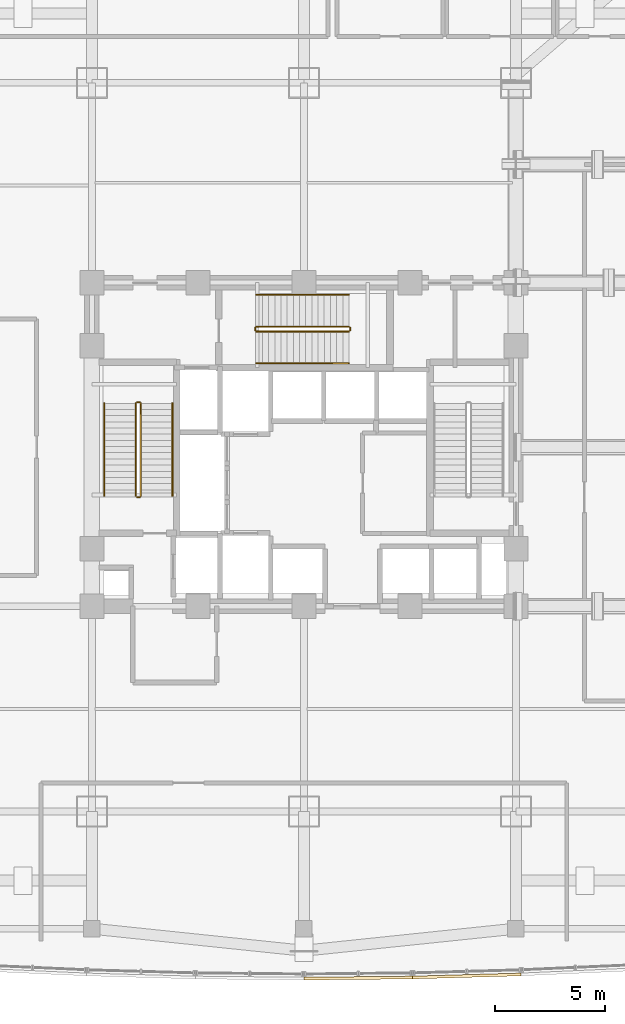
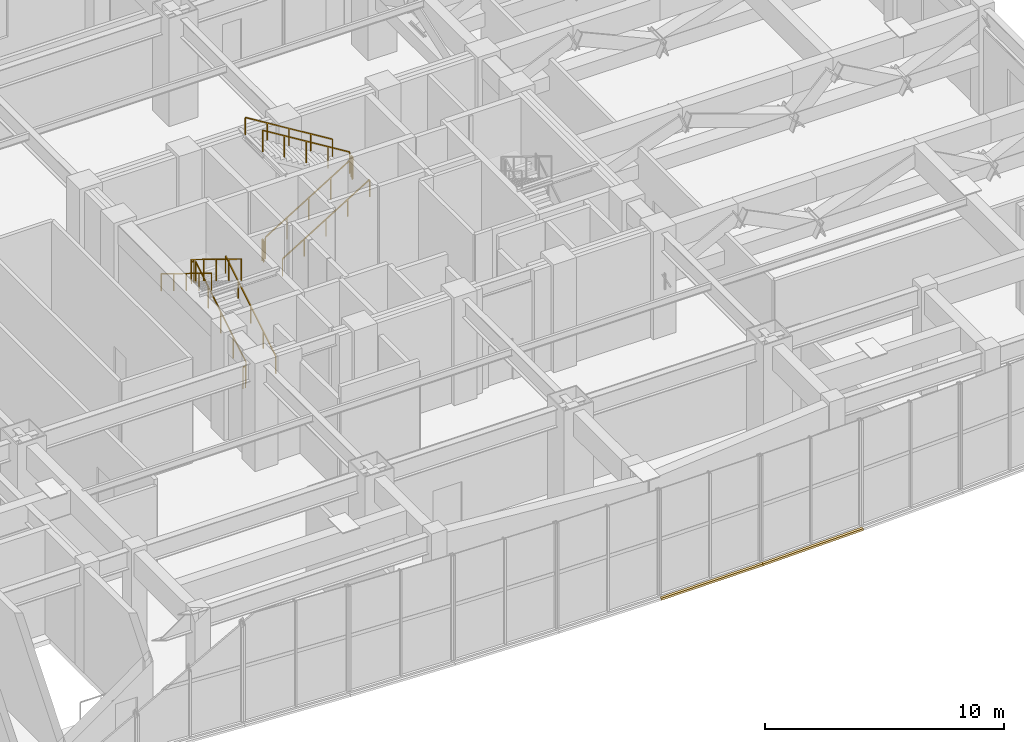
# One storey, part 17 of 19: 12 railings, 2 coverings.
"""IFC4 building model written with IfcOpenShell, lengths in metres."""

from ifc_helpers import new_model, si_unit, direction, frame, origin, origin_2d, place, context, subcontext, project, spatial, polyline, rectangle, outline, extrude, material, layer, layer_set, type_object, element, save


model = new_model("IFC4")

# Units and contexts
model_context = context("Model", 3, precision=1e-05, world=origin(), true_north=direction((0.0, 1.0)))
body_context = subcontext(model_context, "Body", "Model", "MODEL_VIEW")
ifc_project = project(units=[si_unit("LENGTHUNIT", "METRE"), si_unit("AREAUNIT", "SQUARE_METRE"), si_unit("VOLUMEUNIT", "CUBIC_METRE"), si_unit("PLANEANGLEUNIT", "RADIAN"), si_unit("MASSUNIT", "GRAM", prefix="KILO")], contexts=[model_context])

# Site, building, storey
site_placement = place(None, origin())
site = spatial("IfcSite", under=ifc_project, at=site_placement, CompositionType="ELEMENT")
building_placement = place(site_placement, origin())
building = spatial("IfcBuilding", under=site, at=building_placement, Name="Vantalir Tower", CompositionType="ELEMENT")
storey_placement = place(building_placement, frame((0.0, 0.0, 21.5)))
storey = spatial("IfcBuildingStorey", under=building, at=storey_placement, Name="L04", CompositionType="ELEMENT", Elevation=21.5)

# Coverings
ifc_material_1 = material(Name="Anodised champagne aluminium sill fascia", Category="aluminium")
ifc_layer = layer(ifc_material_1, 0.125)
ifc_layer_set = layer_set([ifc_layer], Name="Anodised champagne aluminium sill fascia")
covering_type = type_object("IfcCoveringType", Name="COV-SLAB-FASCIA-125", PredefinedType="CLADDING", material=ifc_layer_set)
covering_1_placement = place(storey_placement, frame((0.0, 0.0, -0.179931640625)))
element("IfcCovering", 1, at=covering_1_placement, inside=storey, type_object=covering_type, Name="L04 South Prow Slab-Edge Fascia 07", PredefinedType="CLADDING", context=body_context, shape_type="SweptSolid", body=[
    extrude(outline(polyline([(31.5, 1.0), (31.5009765625, 0.875), (36.41796875, 0.923095703125), (36.4169921875, 1.048095703125), (31.5, 1.0)])), origin(), (0.0, 0.0, 1.0), 0.10498046875),
])
covering_2_placement = place(storey_placement, frame((0.0, 0.0, -0.179931640625)))
element("IfcCovering", 2, at=covering_2_placement, inside=storey, type_object=covering_type, Name="L04 South Prow Slab-Edge Fascia 08", PredefinedType="CLADDING", context=body_context, shape_type="SweptSolid", body=[
    extrude(outline(polyline([(36.4169921875, 1.048095703125), (36.4208984375, 0.923095703125), (41.3369140625, 1.06298828125), (41.3330078125, 1.18798828125), (36.4169921875, 1.048095703125)])), origin(), (0.0, 0.0, 1.0), 0.10498046875),
])

# Railings
ifc_material_2 = material(Name="Anodised aluminium and stainless steel guard", Category="steel")
railing_type_1 = type_object("IfcRailingType", Name="RAL-GUARD-1120", PredefinedType="GUARDRAIL", material=ifc_material_2)
railing_1_placement = place(storey_placement, frame((24.110107421875, 22.7900390625, 0.171875)))
element("IfcRailing", 3, at=railing_1_placement, inside=storey, type_object=railing_type_1, Name="L04 ST1 stair guard 1", PredefinedType="GUARDRAIL", context=body_context, shape_type="SweptSolid", body=[
    extrude(rectangle(XDim=0.048095703125, YDim=0.048095703125, at=origin_2d()), frame((0.0, 0.0, 1.09619140625), z_axis=(0.0, 0.852242915053, 0.523146264196), x_axis=(-1.0, 0.0, 0.0)), (0.0, 0.0, 1.0), 4.92822265625),
    extrude(rectangle(XDim=0.0419921875, YDim=0.0419921875, at=origin_2d()), origin(), (0.0, 0.0, 1.0), 1.072021484375),
    extrude(rectangle(XDim=0.0419921875, YDim=0.0419921875, at=origin_2d()), frame((0.0, 1.050048828125, 0.64453125)), (0.0, 0.0, 1.0), 1.072021484375),
    extrude(rectangle(XDim=0.0419921875, YDim=0.0419921875, at=origin_2d()), frame((0.0, 2.10009765625, 1.2890625)), (0.0, 0.0, 1.0), 1.072021484375),
    extrude(rectangle(XDim=0.0419921875, YDim=0.0419921875, at=origin_2d()), frame((0.0, 3.14990234375, 1.93359375)), (0.0, 0.0, 1.0), 1.072021484375),
    extrude(rectangle(XDim=0.0419921875, YDim=0.0419921875, at=origin_2d()), frame((0.0, 4.199951171875, 2.578125)), (0.0, 0.0, 1.0), 1.072021484375),
])
railing_2_placement = place(storey_placement, frame((24.06005859375, 27.0400390625, 2.75)))
element("IfcRailing", 4, at=railing_2_placement, inside=storey, type_object=railing_type_1, Name="L04 ST1 stair guard 2", PredefinedType="GUARDRAIL", context=body_context, shape_type="SweptSolid", body=[
    extrude(rectangle(XDim=0.048095703125, YDim=0.048095703125, at=origin_2d()), frame((0.0, 0.0, 1.09619140625), z_axis=(-1.0, 0.0, 0.0), x_axis=(0.0, -1.0, 0.0)), (0.0, 0.0, 1.0), 0.1201171875),
    extrude(rectangle(XDim=0.0419921875, YDim=0.0419921875, at=origin_2d()), origin(), (0.0, 0.0, 1.0), 1.072021484375),
    extrude(rectangle(XDim=0.0419921875, YDim=0.0419921875, at=origin_2d()), frame((-0.1201171875, 0.0, 0.0)), (0.0, 0.0, 1.0), 1.072021484375),
])
railing_3_placement = place(storey_placement, frame((23.889892578125, 26.989990234375, 2.921875)))
element("IfcRailing", 5, at=railing_3_placement, inside=storey, type_object=railing_type_1, Name="L04 ST1 stair guard 3", PredefinedType="GUARDRAIL", context=body_context, shape_type="SweptSolid", body=[
    extrude(rectangle(XDim=0.048095703125, YDim=0.048095703125, at=origin_2d()), frame((0.0, 0.0, 1.09619140625), z_axis=(0.0, -0.852242915053, 0.523146264196), x_axis=(1.0, 0.0, 0.0)), (0.0, 0.0, 1.0), 4.92822265625),
    extrude(rectangle(XDim=0.0419921875, YDim=0.0419921875, at=origin_2d()), origin(), (0.0, 0.0, 1.0), 1.072021484375),
    extrude(rectangle(XDim=0.0419921875, YDim=0.0419921875, at=origin_2d()), frame((0.0, -1.050048828125, 0.64453125)), (0.0, 0.0, 1.0), 1.072021484375),
    extrude(rectangle(XDim=0.0419921875, YDim=0.0419921875, at=origin_2d()), frame((0.0, -2.10009765625, 1.2890625)), (0.0, 0.0, 1.0), 1.072021484375),
    extrude(rectangle(XDim=0.0419921875, YDim=0.0419921875, at=origin_2d()), frame((0.0, -3.14990234375, 1.93359375)), (0.0, 0.0, 1.0), 1.072021484375),
    extrude(rectangle(XDim=0.0419921875, YDim=0.0419921875, at=origin_2d()), frame((0.0, -4.199951171875, 2.578125)), (0.0, 0.0, 1.0), 1.072021484375),
])
railing_4_placement = place(storey_placement, frame((24.06005859375, 22.739990234375, 0.0)))
element("IfcRailing", 6, at=railing_4_placement, inside=storey, type_object=railing_type_1, Name="L04 ST1 stair guard 4", PredefinedType="GUARDRAIL", context=body_context, shape_type="SweptSolid", body=[
    extrude(rectangle(XDim=0.048095703125, YDim=0.048095703125, at=origin_2d()), frame((0.0, 0.0, 1.09619140625), z_axis=(-1.0, 0.0, 0.0), x_axis=(0.0, -1.0, 0.0)), (0.0, 0.0, 1.0), 0.1201171875),
    extrude(rectangle(XDim=0.0419921875, YDim=0.0419921875, at=origin_2d()), origin(), (0.0, 0.0, 1.0), 1.072021484375),
    extrude(rectangle(XDim=0.0419921875, YDim=0.0419921875, at=origin_2d()), frame((-0.1201171875, 0.0, 0.0)), (0.0, 0.0, 1.0), 1.072021484375),
])
railing_5_placement = place(storey_placement, frame((29.340087890625, 30.239990234375, 0.171875)))
element("IfcRailing", 7, at=railing_5_placement, inside=storey, type_object=railing_type_1, Name="L04 ST3 stair guard 1", PredefinedType="GUARDRAIL", context=body_context, shape_type="SweptSolid", body=[
    extrude(rectangle(XDim=0.048095703125, YDim=0.048095703125, at=origin_2d()), frame((0.0, 0.0, 1.09619140625), z_axis=(0.852242915053, 0.0, 0.523146264196), x_axis=(0.0, 1.0, 0.0)), (0.0, 0.0, 1.0), 4.92822265625),
    extrude(rectangle(XDim=0.0419921875, YDim=0.0419921875, at=origin_2d()), origin(), (0.0, 0.0, 1.0), 1.072021484375),
    extrude(rectangle(XDim=0.0419921875, YDim=0.0419921875, at=origin_2d()), frame((1.050048828125, 0.0, 0.64453125)), (0.0, 0.0, 1.0), 1.072021484375),
    extrude(rectangle(XDim=0.0419921875, YDim=0.0419921875, at=origin_2d()), frame((2.10009765625, 0.0, 1.2890625)), (0.0, 0.0, 1.0), 1.072021484375),
    extrude(rectangle(XDim=0.0419921875, YDim=0.0419921875, at=origin_2d()), frame((3.14990234375, 0.0, 1.93359375)), (0.0, 0.0, 1.0), 1.072021484375),
    extrude(rectangle(XDim=0.0419921875, YDim=0.0419921875, at=origin_2d()), frame((4.199951171875, 0.0, 2.578125)), (0.0, 0.0, 1.0), 1.072021484375),
])
railing_6_placement = place(storey_placement, frame((33.590087890625, 30.2900390625, 2.75)))
element("IfcRailing", 8, at=railing_6_placement, inside=storey, type_object=railing_type_1, Name="L04 ST3 stair guard 2", PredefinedType="GUARDRAIL", context=body_context, shape_type="SweptSolid", body=[
    extrude(rectangle(XDim=0.048095703125, YDim=0.048095703125, at=origin_2d()), frame((0.0, 0.0, 1.09619140625), z_axis=(0.0, 1.0, 0.0), x_axis=(-1.0, 0.0, 0.0)), (0.0, 0.0, 1.0), 0.119873046875),
    extrude(rectangle(XDim=0.0419921875, YDim=0.0419921875, at=origin_2d()), origin(), (0.0, 0.0, 1.0), 1.072021484375),
    extrude(rectangle(XDim=0.0419921875, YDim=0.0419921875, at=origin_2d()), frame((0.0, 0.119873046875, 0.0)), (0.0, 0.0, 1.0), 1.072021484375),
])
railing_7_placement = place(storey_placement, frame((33.5400390625, 30.4599609375, 2.921875)))
element("IfcRailing", 9, at=railing_7_placement, inside=storey, type_object=railing_type_1, Name="L04 ST3 stair guard 3", PredefinedType="GUARDRAIL", context=body_context, shape_type="SweptSolid", body=[
    extrude(rectangle(XDim=0.048095703125, YDim=0.048095703125, at=origin_2d()), frame((0.0, 0.0, 1.09619140625), z_axis=(-0.852242915053, 0.0, 0.523146264196), x_axis=(0.0, -1.0, 0.0)), (0.0, 0.0, 1.0), 4.92822265625),
    extrude(rectangle(XDim=0.0419921875, YDim=0.0419921875, at=origin_2d()), origin(), (0.0, 0.0, 1.0), 1.072021484375),
    extrude(rectangle(XDim=0.0419921875, YDim=0.0419921875, at=origin_2d()), frame((-1.050048828125, 0.0, 0.64453125)), (0.0, 0.0, 1.0), 1.072021484375),
    extrude(rectangle(XDim=0.0419921875, YDim=0.0419921875, at=origin_2d()), frame((-2.10009765625, 0.0, 1.2890625)), (0.0, 0.0, 1.0), 1.072021484375),
    extrude(rectangle(XDim=0.0419921875, YDim=0.0419921875, at=origin_2d()), frame((-3.14990234375, 0.0, 1.93359375)), (0.0, 0.0, 1.0), 1.072021484375),
    extrude(rectangle(XDim=0.0419921875, YDim=0.0419921875, at=origin_2d()), frame((-4.199951171875, 0.0, 2.578125)), (0.0, 0.0, 1.0), 1.072021484375),
])
railing_8_placement = place(storey_placement, frame((29.2900390625, 30.2900390625, 0.0)))
element("IfcRailing", 10, at=railing_8_placement, inside=storey, type_object=railing_type_1, Name="L04 ST3 stair guard 4", PredefinedType="GUARDRAIL", context=body_context, shape_type="SweptSolid", body=[
    extrude(rectangle(XDim=0.048095703125, YDim=0.048095703125, at=origin_2d()), frame((0.0, 0.0, 1.09619140625), z_axis=(0.0, 1.0, 0.0), x_axis=(-1.0, 0.0, 0.0)), (0.0, 0.0, 1.0), 0.119873046875),
    extrude(rectangle(XDim=0.0419921875, YDim=0.0419921875, at=origin_2d()), origin(), (0.0, 0.0, 1.0), 1.072021484375),
    extrude(rectangle(XDim=0.0419921875, YDim=0.0419921875, at=origin_2d()), frame((0.0, 0.119873046875, 0.0)), (0.0, 0.0, 1.0), 1.072021484375),
])
ifc_material_3 = material(Name="Brushed stainless steel tubular handrail", Category="steel")
railing_type_2 = type_object("IfcRailingType", Name="RAL-HANDRAIL-900", PredefinedType="HANDRAIL", material=ifc_material_3)
railing_9_placement = place(storey_placement, frame((25.550048828125, 22.7900390625, 0.171875)))
element("IfcRailing", 11, at=railing_9_placement, inside=storey, type_object=railing_type_2, Name="L04 ST1 stair handrail 1", PredefinedType="HANDRAIL", context=body_context, shape_type="SweptSolid", body=[
    extrude(rectangle(XDim=0.048095703125, YDim=0.048095703125, at=origin_2d()), frame((0.0, 0.0, 0.8759765625), z_axis=(0.0, 0.852242915053, 0.523146264196), x_axis=(-1.0, 0.0, 0.0)), (0.0, 0.0, 1.0), 4.92822265625),
    extrude(rectangle(XDim=0.0419921875, YDim=0.0419921875, at=origin_2d()), origin(), (0.0, 0.0, 1.0), 0.851806640625),
    extrude(rectangle(XDim=0.0419921875, YDim=0.0419921875, at=origin_2d()), frame((0.0, 1.050048828125, 0.64453125)), (0.0, 0.0, 1.0), 0.851806640625),
    extrude(rectangle(XDim=0.0419921875, YDim=0.0419921875, at=origin_2d()), frame((0.0, 2.10009765625, 1.2890625)), (0.0, 0.0, 1.0), 0.851806640625),
    extrude(rectangle(XDim=0.0419921875, YDim=0.0419921875, at=origin_2d()), frame((0.0, 3.14990234375, 1.93359375)), (0.0, 0.0, 1.0), 0.851806640625),
    extrude(rectangle(XDim=0.0419921875, YDim=0.0419921875, at=origin_2d()), frame((0.0, 4.199951171875, 2.578125)), (0.0, 0.0, 1.0), 0.851806640625),
])
railing_10_placement = place(storey_placement, frame((22.449951171875, 26.989990234375, 2.921875)))
element("IfcRailing", 12, at=railing_10_placement, inside=storey, type_object=railing_type_2, Name="L04 ST1 stair handrail 2", PredefinedType="HANDRAIL", context=body_context, shape_type="SweptSolid", body=[
    extrude(rectangle(XDim=0.048095703125, YDim=0.048095703125, at=origin_2d()), frame((0.0, 0.0, 0.8759765625), z_axis=(0.0, -0.852242915053, 0.523146264196), x_axis=(1.0, 0.0, 0.0)), (0.0, 0.0, 1.0), 4.92822265625),
    extrude(rectangle(XDim=0.0419921875, YDim=0.0419921875, at=origin_2d()), origin(), (0.0, 0.0, 1.0), 0.851806640625),
    extrude(rectangle(XDim=0.0419921875, YDim=0.0419921875, at=origin_2d()), frame((0.0, -1.050048828125, 0.64453125)), (0.0, 0.0, 1.0), 0.851806640625),
    extrude(rectangle(XDim=0.0419921875, YDim=0.0419921875, at=origin_2d()), frame((0.0, -2.10009765625, 1.2890625)), (0.0, 0.0, 1.0), 0.851806640625),
    extrude(rectangle(XDim=0.0419921875, YDim=0.0419921875, at=origin_2d()), frame((0.0, -3.14990234375, 1.93359375)), (0.0, 0.0, 1.0), 0.851806640625),
    extrude(rectangle(XDim=0.0419921875, YDim=0.0419921875, at=origin_2d()), frame((0.0, -4.199951171875, 2.578125)), (0.0, 0.0, 1.0), 0.851806640625),
])
railing_11_placement = place(storey_placement, frame((29.340087890625, 28.800048828125, 0.171875)))
element("IfcRailing", 13, at=railing_11_placement, inside=storey, type_object=railing_type_2, Name="L04 ST3 stair handrail 1", PredefinedType="HANDRAIL", context=body_context, shape_type="SweptSolid", body=[
    extrude(rectangle(XDim=0.048095703125, YDim=0.048095703125, at=origin_2d()), frame((0.0, 0.0, 0.8759765625), z_axis=(0.852242915053, 0.0, 0.523146264196), x_axis=(0.0, 1.0, 0.0)), (0.0, 0.0, 1.0), 4.92822265625),
    extrude(rectangle(XDim=0.0419921875, YDim=0.0419921875, at=origin_2d()), origin(), (0.0, 0.0, 1.0), 0.851806640625),
    extrude(rectangle(XDim=0.0419921875, YDim=0.0419921875, at=origin_2d()), frame((1.050048828125, 0.0, 0.64453125)), (0.0, 0.0, 1.0), 0.851806640625),
    extrude(rectangle(XDim=0.0419921875, YDim=0.0419921875, at=origin_2d()), frame((2.10009765625, 0.0, 1.2890625)), (0.0, 0.0, 1.0), 0.851806640625),
    extrude(rectangle(XDim=0.0419921875, YDim=0.0419921875, at=origin_2d()), frame((3.14990234375, 0.0, 1.93359375)), (0.0, 0.0, 1.0), 0.851806640625),
    extrude(rectangle(XDim=0.0419921875, YDim=0.0419921875, at=origin_2d()), frame((4.199951171875, 0.0, 2.578125)), (0.0, 0.0, 1.0), 0.851806640625),
])
railing_12_placement = place(storey_placement, frame((33.5400390625, 31.89990234375, 2.921875)))
element("IfcRailing", 14, at=railing_12_placement, inside=storey, type_object=railing_type_2, Name="L04 ST3 stair handrail 2", PredefinedType="HANDRAIL", context=body_context, shape_type="SweptSolid", body=[
    extrude(rectangle(XDim=0.048095703125, YDim=0.048095703125, at=origin_2d()), frame((0.0, 0.0, 0.8759765625), z_axis=(-0.852242915053, 0.0, 0.523146264196), x_axis=(0.0, -1.0, 0.0)), (0.0, 0.0, 1.0), 4.92822265625),
    extrude(rectangle(XDim=0.0419921875, YDim=0.0419921875, at=origin_2d()), origin(), (0.0, 0.0, 1.0), 0.851806640625),
    extrude(rectangle(XDim=0.0419921875, YDim=0.0419921875, at=origin_2d()), frame((-1.050048828125, 0.0, 0.64453125)), (0.0, 0.0, 1.0), 0.851806640625),
    extrude(rectangle(XDim=0.0419921875, YDim=0.0419921875, at=origin_2d()), frame((-2.10009765625, 0.0, 1.2890625)), (0.0, 0.0, 1.0), 0.851806640625),
    extrude(rectangle(XDim=0.0419921875, YDim=0.0419921875, at=origin_2d()), frame((-3.14990234375, 0.0, 1.93359375)), (0.0, 0.0, 1.0), 0.851806640625),
    extrude(rectangle(XDim=0.0419921875, YDim=0.0419921875, at=origin_2d()), frame((-4.199951171875, 0.0, 2.578125)), (0.0, 0.0, 1.0), 0.851806640625),
])

save(model, "model.ifc")
